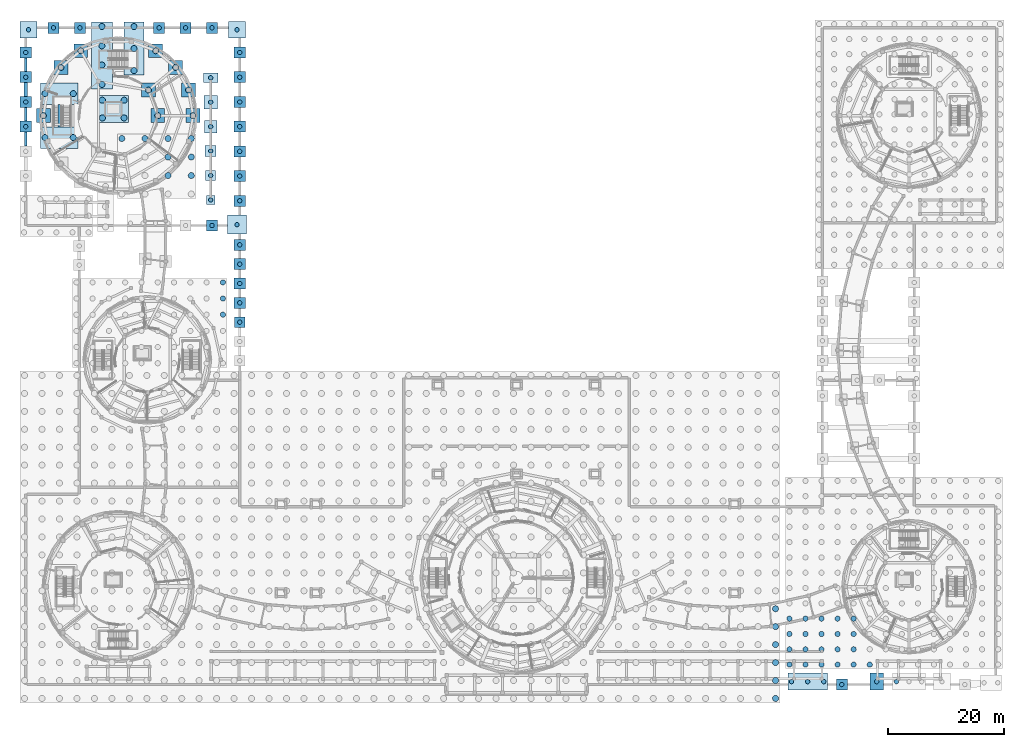
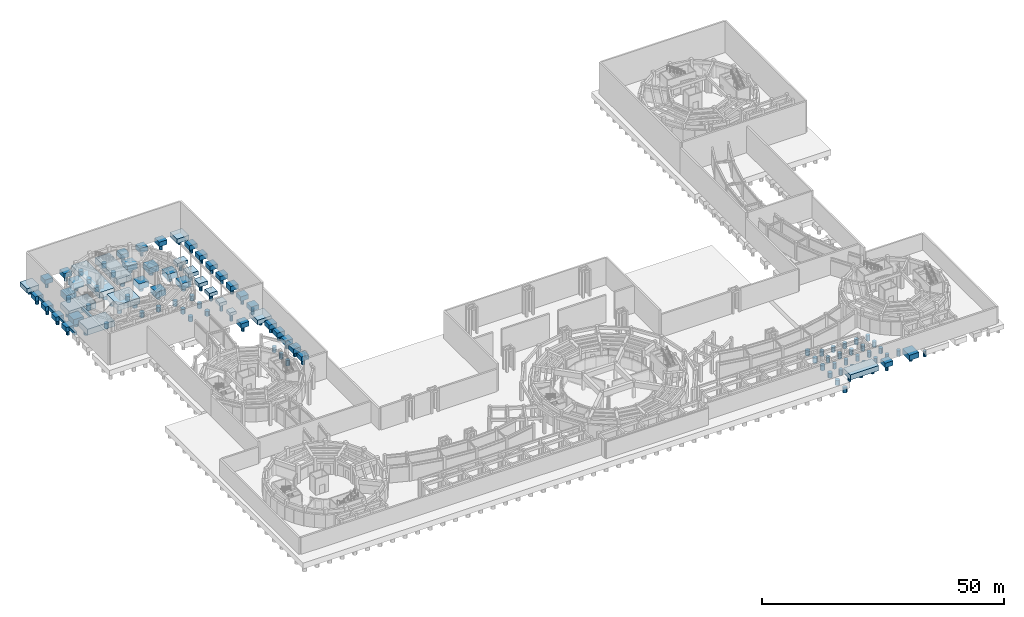
# One storey, part 5 of 57: 99 piles, 53 footings.
"""IFC4 building model written with IfcOpenShell, lengths in metres."""

from ifc_helpers import new_model, si_unit, direction, frame, origin, origin_2d, place, context, subcontext, project, spatial, rectangle, circle, extrude, material, material_profile, profile_set, type_object, element, save


model = new_model("IFC4")

# Units and contexts
model_context = context("Model", 3, precision=1e-05, world=origin(), true_north=direction((0.0, 1.0)))
body_context = subcontext(model_context, "Body", "Model", "MODEL_VIEW")
ifc_project = project(units=[si_unit("LENGTHUNIT", "METRE"), si_unit("AREAUNIT", "SQUARE_METRE"), si_unit("VOLUMEUNIT", "CUBIC_METRE"), si_unit("PLANEANGLEUNIT", "RADIAN"), si_unit("MASSUNIT", "GRAM", prefix="KILO")], contexts=[model_context])

# Site, building, storey
site_placement = place(None, origin())
site = spatial("IfcSite", under=ifc_project, at=site_placement, CompositionType="ELEMENT")
building_placement = place(site_placement, origin())
building = spatial("IfcBuilding", under=site, at=building_placement, Name="Aldenvaro Health Centre", CompositionType="ELEMENT")
storey_placement = place(building_placement, frame((0.0, 0.0, -4.550048828125)))
storey = spatial("IfcBuildingStorey", under=building, at=storey_placement, Name="B1", CompositionType="ELEMENT", Elevation=-4.550048828125)

# Footings
ifc_material = material(Name="Concrete f'c 40 MPa", Category="concrete")
ifc_material_profile_1 = material_profile(ifc_material, rectangle(XDim=0.449951171875, YDim=0.699951171875, at=origin_2d()), Name="GB 450x700", Category="concrete")
ifc_profile_set_1 = profile_set([ifc_material_profile_1], Name="Concrete f'c 40 MPa")
footing_type_1 = type_object("IfcFootingType", Name="FTG-GB-450x700", PredefinedType="FOOTING_BEAM", material=ifc_profile_set_1)
footing_1_placement = place(storey_placement, frame((2.60009765625, 98.550048828125, -0.39990234375), z_axis=(0.0, 1.0, 0.0), x_axis=(-1.0, 0.0, 0.0)))
element("IfcFooting", 1, at=footing_1_placement, inside=storey, type_object=footing_type_1, Name="Foundation Tie Beam GB-03", PredefinedType="FOOTING_BEAM", context=body_context, shape_type="SweptSolid", body=[
    extrude(rectangle(XDim=0.449951171875, YDim=0.699951171875, at=origin_2d()), origin(), (0.0, 0.0, 1.0), 2.349853515625),
])
footing_2_placement = place(storey_placement, frame((8.347900390625, 97.572021484375, -0.39990234375), z_axis=(0.0, 1.0, 0.0), x_axis=(-1.0, 0.0, 0.0)))
element("IfcFooting", 2, at=footing_2_placement, inside=storey, type_object=footing_type_1, Name="Foundation Tie Beam GB-06", PredefinedType="FOOTING_BEAM", context=body_context, shape_type="SweptSolid", body=[
    extrude(rectangle(XDim=0.449951171875, YDim=0.699951171875, at=origin_2d()), origin(), (0.0, 0.0, 1.0), 3.85595703125),
])
ifc_material_profile_2 = material_profile(ifc_material, rectangle(XDim=0.5, YDim=0.75, at=origin_2d()), Name="GB 500x750", Category="concrete")
ifc_profile_set_2 = profile_set([ifc_material_profile_2], Name="Concrete f'c 40 MPa")
footing_type_2 = type_object("IfcFootingType", Name="FTG-GB-500x750", PredefinedType="FOOTING_BEAM", material=ifc_profile_set_2)
for number, where, z_axis, x_axis, name in (
    (3, (2.60009765625, 94.300048828125, -0.425048828125), (0.0, 1.0, 0.0), (-1.0, 0.0, 0.0), "Foundation Tie Beam GB-02"),
    (4, (2.60009765625, 107.050048828125, -0.425048828125), (0.0, 1.0, 0.0), (-1.0, 0.0, 0.0), "Foundation Tie Beam GB-05"),
):
    element("IfcFooting", number, at=place(storey_placement, frame(where, z_axis=z_axis, x_axis=x_axis)), inside=storey, type_object=footing_type_2, Name=name, PredefinedType="FOOTING_BEAM", context=body_context, shape_type="SweptSolid", body=[
        extrude(rectangle(XDim=0.5, YDim=0.75, at=origin_2d()), origin(), (0.0, 0.0, 1.0), 2.349853515625),
    ])
ifc_material_profile_3 = material_profile(ifc_material, rectangle(XDim=0.60009765625, YDim=0.800048828125, at=origin_2d()), Name="GB 600x800", Category="concrete")
ifc_profile_set_3 = profile_set([ifc_material_profile_3], Name="Concrete f'c 40 MPa")
footing_type_3 = type_object("IfcFootingType", Name="FTG-GB-600x800", PredefinedType="FOOTING_BEAM", material=ifc_profile_set_3)
footing_3_placement = place(storey_placement, frame((2.60009765625, 102.800048828125, -0.449951171875), z_axis=(0.0, 1.0, 0.0), x_axis=(-1.0, 0.0, 0.0)))
element("IfcFooting", 5, at=footing_3_placement, inside=storey, type_object=footing_type_3, Name="Foundation Tie Beam GB-04", PredefinedType="FOOTING_BEAM", context=body_context, shape_type="SweptSolid", body=[
    extrude(rectangle(XDim=0.60009765625, YDim=0.800048828125, at=origin_2d()), origin(), (0.0, 0.0, 1.0), 2.349853515625),
])
footing_type_4 = type_object("IfcFootingType", Name="FTG-PAD-150", PredefinedType="PAD_FOOTING", material=ifc_material)
footing_4_placement = place(storey_placement, frame((34.39990234375, 85.0, -0.75), z_axis=(0.0, 0.0, 1.0), x_axis=(1.0, 0.0, 0.0)))
element("IfcFooting", 6, at=footing_4_placement, inside=storey, type_object=footing_type_4, Name="Garden Parterre Pad Footing PF-01", PredefinedType="PAD_FOOTING", context=body_context, shape_type="SweptSolid", body=[
    extrude(rectangle(XDim=1.5, YDim=1.5, at=origin_2d()), origin(), (0.0, 0.0, 1.0), 0.75),
])
footing_type_5 = type_object("IfcFootingType", Name="FTG-PAD-170", PredefinedType="PAD_FOOTING", material=ifc_material)
footing_5_placement = place(storey_placement, frame((34.39990234375, 89.199951171875, -0.7998046875), z_axis=(0.0, 0.0, 1.0), x_axis=(1.0, 0.0, 0.0)))
element("IfcFooting", 7, at=footing_5_placement, inside=storey, type_object=footing_type_5, Name="Garden Parterre Pad Footing PF-02", PredefinedType="PAD_FOOTING", context=body_context, shape_type="SweptSolid", body=[
    extrude(rectangle(XDim=1.699951171875, YDim=1.699951171875, at=origin_2d()), origin(), (0.0, 0.0, 1.0), 0.800048828125),
])
footing_type_6 = type_object("IfcFootingType", Name="FTG-PAD-190", PredefinedType="PAD_FOOTING", material=ifc_material)
footing_6_placement = place(storey_placement, frame((34.39990234375, 93.39990234375, -0.85009765625), z_axis=(0.0, 0.0, 1.0), x_axis=(1.0, 0.0, 0.0)))
element("IfcFooting", 8, at=footing_6_placement, inside=storey, type_object=footing_type_6, Name="Garden Parterre Pad Footing PF-03", PredefinedType="PAD_FOOTING", context=body_context, shape_type="SweptSolid", body=[
    extrude(rectangle(XDim=1.89990234375, YDim=1.89990234375, at=origin_2d()), origin(), (0.0, 0.0, 1.0), 0.85009765625),
])
footing_type_7 = type_object("IfcFootingType", Name="FTG-PAD-210", PredefinedType="PAD_FOOTING", material=ifc_material)
footing_7_placement = place(storey_placement, frame((34.39990234375, 97.60009765625, -0.89990234375), z_axis=(0.0, 0.0, 1.0), x_axis=(1.0, 0.0, 0.0)))
element("IfcFooting", 9, at=footing_7_placement, inside=storey, type_object=footing_type_7, Name="Garden Parterre Pad Footing PF-04", PredefinedType="PAD_FOOTING", context=body_context, shape_type="SweptSolid", body=[
    extrude(rectangle(XDim=2.10009765625, YDim=2.10009765625, at=origin_2d()), origin(), (0.0, 0.0, 1.0), 0.89990234375),
])
footing_type_8 = type_object("IfcFootingType", Name="FTG-PAD-230", PredefinedType="PAD_FOOTING", material=ifc_material)
footing_8_placement = place(storey_placement, frame((34.39990234375, 101.800048828125, -0.94970703125), z_axis=(0.0, 0.0, 1.0), x_axis=(1.0, 0.0, 0.0)))
element("IfcFooting", 10, at=footing_8_placement, inside=storey, type_object=footing_type_8, Name="Garden Parterre Pad Footing PF-05", PredefinedType="PAD_FOOTING", context=body_context, shape_type="SweptSolid", body=[
    extrude(rectangle(XDim=2.300048828125, YDim=2.300048828125, at=origin_2d()), origin(), (0.0, 0.0, 1.0), 0.949951171875),
])
footing_type_9 = type_object("IfcFootingType", Name="FTG-PAD-250x170", PredefinedType="PAD_FOOTING", material=ifc_material)
footing_9_placement = place(storey_placement, frame((34.39990234375, 106.0, -0.85009765625), z_axis=(0.0, 0.0, 1.0), x_axis=(1.0, 0.0, 0.0)))
element("IfcFooting", 11, at=footing_9_placement, inside=storey, type_object=footing_type_9, Name="Garden Parterre Pad Footing PF-06", PredefinedType="PAD_FOOTING", context=body_context, shape_type="SweptSolid", body=[
    extrude(rectangle(XDim=2.5, YDim=1.699951171875, at=origin_2d()), origin(), (0.0, 0.0, 1.0), 0.85009765625),
])
footing_type_10 = type_object("IfcFootingType", Name="FTG-PC-180x180x115", PredefinedType="PILE_CAP", material=ifc_material)
footing_10_placement = place(storey_placement, frame((39.39990234375, 63.97509765625, -1.14990234375), z_axis=(0.0, 0.0, 1.0), x_axis=(1.0, 0.0, 0.0)))
element("IfcFooting", 12, at=footing_10_placement, inside=storey, type_object=footing_type_10, Name="Pile Cap PC-24 #075", PredefinedType="PILE_CAP", context=body_context, shape_type="SweptSolid", body=[
    extrude(rectangle(XDim=1.800048828125, YDim=1.800048828125, at=origin_2d()), origin(), (0.0, 0.0, 1.0), 1.14990234375),
])
footing_type_11 = type_object("IfcFootingType", Name="FTG-PC-190x190x115", PredefinedType="PILE_CAP", material=ifc_material)
for number, where, z_axis, x_axis, name in (
    (13, (2.60009765625, 97.60009765625, -1.14990234375), (0.0, 0.0, 1.0), (1.0, 0.0, 0.0), "Pile Cap PC-20 #049"),
    (14, (2.60009765625, 101.85009765625, -1.14990234375), (0.0, 0.0, 1.0), (1.0, 0.0, 0.0), "Pile Cap PC-20 #050"),
    (15, (2.60009765625, 106.10009765625, -1.14990234375), (0.0, 0.0, 1.0), (1.0, 0.0, 0.0), "Pile Cap PC-20 #051"),
    (16, (2.60009765625, 110.35009765625, -1.14990234375), (0.0, 0.0, 1.0), (1.0, 0.0, 0.0), "Pile Cap PC-20 #052"),
    (17, (39.39990234375, 84.85009765625, -1.14990234375), (0.0, 0.0, 1.0), (1.0, 0.0, 0.0), "Pile Cap PC-20 #055"),
    (18, (39.39990234375, 89.10009765625, -1.14990234375), (0.0, 0.0, 1.0), (1.0, 0.0, 0.0), "Pile Cap PC-20 #056"),
    (19, (39.39990234375, 93.35009765625, -1.14990234375), (0.0, 0.0, 1.0), (1.0, 0.0, 0.0), "Pile Cap PC-20 #057"),
    (20, (39.39990234375, 97.60009765625, -1.14990234375), (0.0, 0.0, 1.0), (1.0, 0.0, 0.0), "Pile Cap PC-20 #058"),
    (21, (39.39990234375, 101.85009765625, -1.14990234375), (0.0, 0.0, 1.0), (1.0, 0.0, 0.0), "Pile Cap PC-20 #059"),
    (22, (39.39990234375, 106.10009765625, -1.14990234375), (0.0, 0.0, 1.0), (1.0, 0.0, 0.0), "Pile Cap PC-20 #060"),
    (23, (39.39990234375, 110.35009765625, -1.14990234375), (0.0, 0.0, 1.0), (1.0, 0.0, 0.0), "Pile Cap PC-20 #061"),
    (24, (34.632080078125, 80.60009765625, -1.14990234375), (0.0, 0.0, 1.0), (1.0, 0.0, 0.0), "Pile Cap PC-20 #064"),
    (25, (39.39990234375, 67.300048828125, -1.14990234375), (0.0, 0.0, 1.0), (1.0, 0.0, 0.0), "Pile Cap PC-20 #076"),
    (26, (39.39990234375, 70.625, -1.14990234375), (0.0, 0.0, 1.0), (1.0, 0.0, 0.0), "Pile Cap PC-20 #077"),
    (27, (39.39990234375, 73.949951171875, -1.14990234375), (0.0, 0.0, 1.0), (1.0, 0.0, 0.0), "Pile Cap PC-20 #078"),
    (28, (39.39990234375, 77.27490234375, -1.14990234375), (0.0, 0.0, 1.0), (1.0, 0.0, 0.0), "Pile Cap PC-20 #079"),
    (29, (142.93505859375, 1.64990234375, -1.14990234375), (0.0, 0.0, 1.0), (1.0, 0.0, 0.0), "Pile Cap PC-20 #086"),
    (30, (7.367919921875, 114.60009765625, -1.14990234375), (0.0, 0.0, 1.0), (1.0, 0.0, 0.0), "Pile Cap PC-20 #090"),
    (31, (11.912109375, 114.60009765625, -1.14990234375), (0.0, 0.0, 1.0), (1.0, 0.0, 0.0), "Pile Cap PC-20 #091"),
    (32, (25.5439453125, 114.60009765625, -1.14990234375), (0.0, 0.0, 1.0), (1.0, 0.0, 0.0), "Pile Cap PC-20 #092"),
    (33, (30.087890625, 114.60009765625, -1.14990234375), (0.0, 0.0, 1.0), (1.0, 0.0, 0.0), "Pile Cap PC-20 #093"),
    (34, (34.632080078125, 114.60009765625, -1.14990234375), (0.0, 0.0, 1.0), (1.0, 0.0, 0.0), "Pile Cap PC-20 #094"),
):
    element("IfcFooting", number, at=place(storey_placement, frame(where, z_axis=z_axis, x_axis=x_axis)), inside=storey, type_object=footing_type_11, Name=name, PredefinedType="PILE_CAP", context=body_context, shape_type="SweptSolid", body=[
        extrude(rectangle(XDim=1.89990234375, YDim=1.89990234375, at=origin_2d()), origin(), (0.0, 0.0, 1.0), 1.14990234375),
    ])
footing_type_12 = type_object("IfcFootingType", Name="FTG-PC-230x290x130", PredefinedType="PILE_CAP", material=ifc_material)
footing_11_placement = place(storey_placement, frame((148.93310546875, 2.14990234375, -1.2998046875), z_axis=(0.0, 0.0, 1.0), x_axis=(1.0, 0.0, 0.0)))
element("IfcFooting", 35, at=footing_11_placement, inside=storey, type_object=footing_type_12, Name="Pile Cap PC-15 #036", PredefinedType="PILE_CAP", context=body_context, shape_type="SweptSolid", body=[
    extrude(rectangle(XDim=2.300048828125, YDim=2.89990234375, at=origin_2d()), origin(), (0.0, 0.0, 1.0), 1.300048828125),
])
footing_type_13 = type_object("IfcFootingType", Name="FTG-PC-240x240x145", PredefinedType="PILE_CAP", material=ifc_material)
for number, where, z_axis, x_axis, name in (
    (36, (31.3798828125, 99.5, -1.44970703125), (0.0, 0.0, 1.0), (1.0, 0.0, 0.0), "Pile Cap PC-09 #010"),
    (37, (30.60302734375, 103.905029296875, -1.44970703125), (0.0, 0.0, 1.0), (1.0, 0.0, 0.0), "Pile Cap PC-09 #011"),
    (38, (28.366943359375, 107.779052734375, -1.44970703125), (0.0, 0.0, 1.0), (1.0, 0.0, 0.0), "Pile Cap PC-09 #012"),
    (39, (24.93994140625, 110.654052734375, -1.44970703125), (0.0, 0.0, 1.0), (1.0, 0.0, 0.0), "Pile Cap PC-09 #013"),
    (40, (12.06005859375, 110.654052734375, -1.44970703125), (0.0, 0.0, 1.0), (1.0, 0.0, 0.0), "Pile Cap PC-09 #014"),
    (41, (8.633056640625, 107.779052734375, -1.44970703125), (0.0, 0.0, 1.0), (1.0, 0.0, 0.0), "Pile Cap PC-09 #015"),
    (42, (5.6201171875, 99.5, -1.44970703125), (0.0, 0.0, 1.0), (1.0, 0.0, 0.0), "Pile Cap PC-09 #016"),
    (43, (25.300048828125, 99.5, -1.44970703125), (0.0, 0.0, 1.0), (1.0, 0.0, 0.0), "Pile Cap PC-09 #021"),
    (44, (23.708984375, 103.87109375, -1.44970703125), (0.0, 0.0, 1.0), (1.0, 0.0, 0.0), "Pile Cap PC-09 #022"),
):
    element("IfcFooting", number, at=place(storey_placement, frame(where, z_axis=z_axis, x_axis=x_axis)), inside=storey, type_object=footing_type_13, Name=name, PredefinedType="PILE_CAP", context=body_context, shape_type="SweptSolid", body=[
        extrude(rectangle(XDim=2.39990234375, YDim=2.39990234375, at=origin_2d()), origin(), (0.0, 0.0, 1.0), 1.449951171875),
    ])
footing_type_14 = type_object("IfcFootingType", Name="FTG-PC-290x290x115", PredefinedType="PILE_CAP", material=ifc_material)
for number, where, z_axis, x_axis, name in (
    (45, (3.075927734375, 114.260009765625, -1.14990234375), (0.0, 0.0, 1.0), (1.0, 0.0, 0.0), "Pile Cap PC-21 #053"),
    (46, (38.924072265625, 114.260009765625, -1.14990234375), (0.0, 0.0, 1.0), (1.0, 0.0, 0.0), "Pile Cap PC-21 #062"),
):
    element("IfcFooting", number, at=place(storey_placement, frame(where, z_axis=z_axis, x_axis=x_axis)), inside=storey, type_object=footing_type_14, Name=name, PredefinedType="PILE_CAP", context=body_context, shape_type="SweptSolid", body=[
        extrude(rectangle(XDim=2.89990234375, YDim=2.89990234375, at=origin_2d()), origin(), (0.0, 0.0, 1.0), 1.14990234375),
    ])
footing_type_15 = type_object("IfcFootingType", Name="FTG-PC-330x330x115", PredefinedType="PILE_CAP", material=ifc_material)
footing_12_placement = place(storey_placement, frame((38.924072265625, 80.75390625, -1.14990234375), z_axis=(0.0, 0.0, 1.0), x_axis=(1.0, 0.0, 0.0)))
element("IfcFooting", 47, at=footing_12_placement, inside=storey, type_object=footing_type_15, Name="Pile Cap PC-22 #054", PredefinedType="PILE_CAP", context=body_context, shape_type="SweptSolid", body=[
    extrude(rectangle(XDim=3.300048828125, YDim=3.300048828125, at=origin_2d()), origin(), (0.0, 0.0, 1.0), 1.14990234375),
])
footing_type_16 = type_object("IfcFootingType", Name="FTG-PC-340x910x145", PredefinedType="PILE_CAP", material=ifc_material)
footing_13_placement = place(storey_placement, frame((21.218017578125, 111.02099609375, -1.44970703125), z_axis=(0.0, 0.0, 1.0), x_axis=(1.0, 0.0, 0.0)))
element("IfcFooting", 48, at=footing_13_placement, inside=storey, type_object=footing_type_16, Name="Pile Cap PC-05 #005", PredefinedType="PILE_CAP", context=body_context, shape_type="SweptSolid", body=[
    extrude(rectangle(XDim=3.39990234375, YDim=9.10009765625, at=origin_2d()), origin(), (0.0, 0.0, 1.0), 1.449951171875),
])
footing_type_17 = type_object("IfcFootingType", Name="FTG-PC-360x1150x145", PredefinedType="PILE_CAP", material=ifc_material)
footing_14_placement = place(storey_placement, frame((15.69091796875, 109.844970703125, -1.44970703125), z_axis=(0.0, 0.0, 1.0), x_axis=(1.0, 0.0, 0.0)))
element("IfcFooting", 49, at=footing_14_placement, inside=storey, type_object=footing_type_17, Name="Pile Cap PC-04 #004", PredefinedType="PILE_CAP", context=body_context, shape_type="SweptSolid", body=[
    extrude(rectangle(XDim=3.60009765625, YDim=11.5, at=origin_2d()), origin(), (0.0, 0.0, 1.0), 1.449951171875),
])
footing_type_18 = type_object("IfcFootingType", Name="FTG-PC-530x460x145", PredefinedType="PILE_CAP", material=ifc_material)
footing_15_placement = place(storey_placement, frame((17.64990234375, 100.625, -1.44970703125), z_axis=(0.0, 0.0, 1.0), x_axis=(1.0, 0.0, 0.0)))
element("IfcFooting", 50, at=footing_15_placement, inside=storey, type_object=footing_type_18, Name="Pile Cap PC-08 #009", PredefinedType="PILE_CAP", context=body_context, shape_type="SweptSolid", body=[
    extrude(rectangle(XDim=5.300048828125, YDim=4.60009765625, at=origin_2d()), origin(), (0.0, 0.0, 1.0), 1.449951171875),
])
footing_type_19 = type_object("IfcFootingType", Name="FTG-PC-640x370x145", PredefinedType="PILE_CAP", material=ifc_material)
for number, where, z_axis, x_axis, name in (
    (51, (8.347900390625, 95.721923828125, -1.44970703125), (0.0, 0.0, 1.0), (1.0, 0.0, 0.0), "Pile Cap PC-06 #006"),
    (52, (8.347900390625, 103.278076171875, -1.44970703125), (0.0, 0.0, 1.0), (1.0, 0.0, 0.0), "Pile Cap PC-06 #007"),
):
    element("IfcFooting", number, at=place(storey_placement, frame(where, z_axis=z_axis, x_axis=x_axis)), inside=storey, type_object=footing_type_19, Name=name, PredefinedType="PILE_CAP", context=body_context, shape_type="SweptSolid", body=[
        extrude(rectangle(XDim=6.39990234375, YDim=3.699951171875, at=origin_2d()), origin(), (0.0, 0.0, 1.0), 1.449951171875),
    ])
footing_type_20 = type_object("IfcFootingType", Name="FTG-PC-680x290x130", PredefinedType="PILE_CAP", material=ifc_material)
footing_16_placement = place(storey_placement, frame((137.075927734375, 2.14990234375, -1.2998046875), z_axis=(0.0, 0.0, 1.0), x_axis=(1.0, 0.0, 0.0)))
element("IfcFooting", 53, at=footing_16_placement, inside=storey, type_object=footing_type_20, Name="Pile Cap PC-14 #035", PredefinedType="PILE_CAP", context=body_context, shape_type="SweptSolid", body=[
    extrude(rectangle(XDim=6.800048828125, YDim=2.89990234375, at=origin_2d()), origin(), (0.0, 0.0, 1.0), 1.300048828125),
])

# Piles
ifc_material_profile_4 = material_profile(ifc_material, circle(Radius=0.52490234375, at=origin_2d()), Name="PILE D1050", Category="concrete")
ifc_profile_set_4 = profile_set([ifc_material_profile_4], Name="Concrete f'c 40 MPa")
pile_type_1 = type_object("IfcPileType", Name="PILE-D1050", PredefinedType="BORED", material=ifc_profile_set_4)
for number, where, z_axis, x_axis, name in (
    (54, (131.54296875, -0.737060546875, -1.349853515625), (0.0, 0.0, -1.0), (1.0, 0.0, 0.0), "Bored Pile BP-03 #0818"),
    (55, (131.54296875, 2.34912109375, -1.349853515625), (0.0, 0.0, -1.0), (1.0, 0.0, 0.0), "Bored Pile BP-03 #0819"),
    (56, (131.54296875, 5.43505859375, -1.349853515625), (0.0, 0.0, -1.0), (1.0, 0.0, 0.0), "Bored Pile BP-03 #0820"),
    (57, (131.54296875, 8.52099609375, -1.349853515625), (0.0, 0.0, -1.0), (1.0, 0.0, 0.0), "Bored Pile BP-03 #0821"),
    (58, (131.54296875, 11.60693359375, -1.349853515625), (0.0, 0.0, -1.0), (1.0, 0.0, 0.0), "Bored Pile BP-03 #0822"),
    (59, (131.54296875, 14.694091796875, -1.349853515625), (0.0, 0.0, -1.0), (1.0, 0.0, 0.0), "Bored Pile BP-03 #0823"),
    (60, (15.69091796875, 104.8701171875, -1.349853515625), (0.0, 0.0, -1.0), (1.0, 0.0, 0.0), "Bored Pile BP-03 #1118"),
    (61, (15.69091796875, 108.18701171875, -1.349853515625), (0.0, 0.0, -1.0), (1.0, 0.0, 0.0), "Bored Pile BP-03 #1119"),
    (62, (15.69091796875, 111.5029296875, -1.349853515625), (0.0, 0.0, -1.0), (1.0, 0.0, 0.0), "Bored Pile BP-03 #1120"),
    (63, (15.69091796875, 114.820068359375, -1.349853515625), (0.0, 0.0, -1.0), (1.0, 0.0, 0.0), "Bored Pile BP-03 #1121"),
    (64, (21.218017578125, 107.24609375, -1.349853515625), (0.0, 0.0, -1.0), (1.0, 0.0, 0.0), "Bored Pile BP-03 #1122"),
    (65, (21.218017578125, 111.02099609375, -1.349853515625), (0.0, 0.0, -1.0), (1.0, 0.0, 0.0), "Bored Pile BP-03 #1123"),
    (66, (21.218017578125, 114.7958984375, -1.349853515625), (0.0, 0.0, -1.0), (1.0, 0.0, 0.0), "Bored Pile BP-03 #1124"),
    (67, (5.923095703125, 95.721923828125, -1.349853515625), (0.0, 0.0, -1.0), (1.0, 0.0, 0.0), "Bored Pile BP-03 #1125"),
    (68, (10.77294921875, 95.721923828125, -1.349853515625), (0.0, 0.0, -1.0), (1.0, 0.0, 0.0), "Bored Pile BP-03 #1126"),
    (69, (5.923095703125, 103.278076171875, -1.349853515625), (0.0, 0.0, -1.0), (1.0, 0.0, 0.0), "Bored Pile BP-03 #1127"),
    (70, (10.77294921875, 103.278076171875, -1.349853515625), (0.0, 0.0, -1.0), (1.0, 0.0, 0.0), "Bored Pile BP-03 #1128"),
    (71, (15.77490234375, 99.10009765625, -1.349853515625), (0.0, 0.0, -1.0), (1.0, 0.0, 0.0), "Bored Pile BP-03 #1311"),
    (72, (15.77490234375, 102.14990234375, -1.349853515625), (0.0, 0.0, -1.0), (1.0, 0.0, 0.0), "Bored Pile BP-03 #1312"),
    (73, (19.52490234375, 99.10009765625, -1.349853515625), (0.0, 0.0, -1.0), (1.0, 0.0, 0.0), "Bored Pile BP-03 #1313"),
    (74, (19.52490234375, 102.14990234375, -1.349853515625), (0.0, 0.0, -1.0), (1.0, 0.0, 0.0), "Bored Pile BP-03 #1314"),
    (75, (31.3798828125, 99.5, -1.349853515625), (0.0, 0.0, -1.0), (1.0, 0.0, 0.0), "Bored Pile BP-03 #1315"),
    (76, (30.60302734375, 103.905029296875, -1.349853515625), (0.0, 0.0, -1.0), (1.0, 0.0, 0.0), "Bored Pile BP-03 #1316"),
    (77, (28.366943359375, 107.779052734375, -1.349853515625), (0.0, 0.0, -1.0), (1.0, 0.0, 0.0), "Bored Pile BP-03 #1317"),
    (78, (24.93994140625, 110.654052734375, -1.349853515625), (0.0, 0.0, -1.0), (1.0, 0.0, 0.0), "Bored Pile BP-03 #1318"),
    (79, (12.06005859375, 110.654052734375, -1.349853515625), (0.0, 0.0, -1.0), (1.0, 0.0, 0.0), "Bored Pile BP-03 #1319"),
    (80, (8.633056640625, 107.779052734375, -1.349853515625), (0.0, 0.0, -1.0), (1.0, 0.0, 0.0), "Bored Pile BP-03 #1320"),
    (81, (5.6201171875, 99.5, -1.349853515625), (0.0, 0.0, -1.0), (1.0, 0.0, 0.0), "Bored Pile BP-03 #1321"),
    (82, (19.117919921875, 95.555908203125, -1.349853515625), (0.0, 0.0, -1.0), (1.0, 0.0, 0.0), "Bored Pile BP-03 #1330"),
    (83, (23.10107421875, 95.555908203125, -1.349853515625), (0.0, 0.0, -1.0), (1.0, 0.0, 0.0), "Bored Pile BP-03 #1334"),
    (84, (27.0849609375, 89.18896484375, -1.349853515625), (0.0, 0.0, -1.0), (1.0, 0.0, 0.0), "Bored Pile BP-03 #1336"),
    (85, (27.0849609375, 92.373046875, -1.349853515625), (0.0, 0.0, -1.0), (1.0, 0.0, 0.0), "Bored Pile BP-03 #1337"),
    (86, (27.0849609375, 95.555908203125, -1.349853515625), (0.0, 0.0, -1.0), (1.0, 0.0, 0.0), "Bored Pile BP-03 #1338"),
    (87, (31.068115234375, 89.18896484375, -1.349853515625), (0.0, 0.0, -1.0), (1.0, 0.0, 0.0), "Bored Pile BP-03 #1340"),
    (88, (31.068115234375, 92.373046875, -1.349853515625), (0.0, 0.0, -1.0), (1.0, 0.0, 0.0), "Bored Pile BP-03 #1341"),
    (89, (31.068115234375, 95.555908203125, -1.349853515625), (0.0, 0.0, -1.0), (1.0, 0.0, 0.0), "Bored Pile BP-03 #1342"),
    (90, (25.300048828125, 99.5, -1.349853515625), (0.0, 0.0, -1.0), (1.0, 0.0, 0.0), "Bored Pile BP-03 #1343"),
    (91, (23.708984375, 103.87109375, -1.349853515625), (0.0, 0.0, -1.0), (1.0, 0.0, 0.0), "Bored Pile BP-03 #1344"),
):
    element("IfcPile", number, at=place(storey_placement, frame(where, z_axis=z_axis, x_axis=x_axis)), inside=storey, type_object=pile_type_1, Name=name, PredefinedType="BORED", context=body_context, shape_type="SweptSolid", body=[
        extrude(circle(Radius=0.52490234375, at=origin_2d()), origin(), (0.0, 0.0, 1.0), 1.25),
    ])
ifc_material_profile_5 = material_profile(ifc_material, circle(Radius=0.375, at=origin_2d()), Name="PILE D750", Category="concrete")
ifc_profile_set_5 = profile_set([ifc_material_profile_5], Name="Concrete f'c 40 MPa")
pile_type_2 = type_object("IfcPileType", Name="PILE-D750", PredefinedType="BORED", material=ifc_profile_set_5)
pile_1_placement = place(storey_placement, frame((34.39990234375, 85.0, -0.64990234375), z_axis=(0.0, 0.0, -1.0), x_axis=(1.0, 0.0, 0.0)))
element("IfcPile", 92, at=pile_1_placement, inside=storey, type_object=pile_type_2, Name="Garden Parterre Bored Pile #01", PredefinedType="BORED", context=body_context, shape_type="SweptSolid", body=[
    extrude(circle(Radius=0.375, at=origin_2d()), origin(), (0.0, 0.0, 1.0), 1.949951171875),
])
pile_2_placement = place(storey_placement, frame((34.39990234375, 89.199951171875, -0.699951171875), z_axis=(0.0, 0.0, -1.0), x_axis=(1.0, 0.0, 0.0)))
element("IfcPile", 93, at=pile_2_placement, inside=storey, type_object=pile_type_2, Name="Garden Parterre Bored Pile #02", PredefinedType="BORED", context=body_context, shape_type="SweptSolid", body=[
    extrude(circle(Radius=0.375, at=origin_2d()), origin(), (0.0, 0.0, 1.0), 1.89990234375),
])
pile_3_placement = place(storey_placement, frame((34.39990234375, 93.39990234375, -0.75), z_axis=(0.0, 0.0, -1.0), x_axis=(1.0, 0.0, 0.0)))
element("IfcPile", 94, at=pile_3_placement, inside=storey, type_object=pile_type_2, Name="Garden Parterre Bored Pile #03", PredefinedType="BORED", context=body_context, shape_type="SweptSolid", body=[
    extrude(circle(Radius=0.375, at=origin_2d()), origin(), (0.0, 0.0, 1.0), 1.85009765625),
])
pile_4_placement = place(storey_placement, frame((34.39990234375, 97.60009765625, -0.800048828125), z_axis=(0.0, 0.0, -1.0), x_axis=(1.0, 0.0, 0.0)))
element("IfcPile", 95, at=pile_4_placement, inside=storey, type_object=pile_type_2, Name="Garden Parterre Bored Pile #04", PredefinedType="BORED", context=body_context, shape_type="SweptSolid", body=[
    extrude(circle(Radius=0.375, at=origin_2d()), origin(), (0.0, 0.0, 1.0), 1.800048828125),
])
pile_5_placement = place(storey_placement, frame((34.39990234375, 101.800048828125, -0.849853515625), z_axis=(0.0, 0.0, -1.0), x_axis=(1.0, 0.0, 0.0)))
element("IfcPile", 96, at=pile_5_placement, inside=storey, type_object=pile_type_2, Name="Garden Parterre Bored Pile #05", PredefinedType="BORED", context=body_context, shape_type="SweptSolid", body=[
    extrude(circle(Radius=0.375, at=origin_2d()), origin(), (0.0, 0.0, 1.0), 1.75),
])
pile_6_placement = place(storey_placement, frame((34.39990234375, 106.0, -0.75), z_axis=(0.0, 0.0, -1.0), x_axis=(1.0, 0.0, 0.0)))
element("IfcPile", 97, at=pile_6_placement, inside=storey, type_object=pile_type_2, Name="Garden Parterre Bored Pile #06", PredefinedType="BORED", context=body_context, shape_type="SweptSolid", body=[
    extrude(circle(Radius=0.375, at=origin_2d()), origin(), (0.0, 0.0, 1.0), 1.85009765625),
])
for number, where, z_axis, x_axis, name in (
    (98, (134.301025390625, 2.14990234375, -1.199951171875), (0.0, 0.0, -1.0), (1.0, 0.0, 0.0), "Bored Pile BP-01 #1360"),
    (99, (137.075927734375, 2.14990234375, -1.199951171875), (0.0, 0.0, -1.0), (1.0, 0.0, 0.0), "Bored Pile BP-01 #1361"),
    (100, (139.85107421875, 2.14990234375, -1.199951171875), (0.0, 0.0, -1.0), (1.0, 0.0, 0.0), "Bored Pile BP-01 #1362"),
    (101, (148.93310546875, 2.14990234375, -1.199951171875), (0.0, 0.0, -1.0), (1.0, 0.0, 0.0), "Bored Pile BP-01 #1363"),
    (102, (152.324951171875, 2.14990234375, -1.199951171875), (0.0, 0.0, -1.0), (1.0, 0.0, 0.0), "Bored Pile BP-01 #1364"),
):
    element("IfcPile", number, at=place(storey_placement, frame(where, z_axis=z_axis, x_axis=x_axis)), inside=storey, type_object=pile_type_2, Name=name, PredefinedType="BORED", context=body_context, shape_type="SweptSolid", body=[
        extrude(circle(Radius=0.375, at=origin_2d()), origin(), (0.0, 0.0, 1.0), 1.39990234375),
    ])
for number, where, z_axis, x_axis, name in (
    (103, (2.60009765625, 97.60009765625, -1.050048828125), (0.0, 0.0, -1.0), (1.0, 0.0, 0.0), "Bored Pile BP-01 #1393"),
    (104, (2.60009765625, 101.85009765625, -1.050048828125), (0.0, 0.0, -1.0), (1.0, 0.0, 0.0), "Bored Pile BP-01 #1394"),
    (105, (2.60009765625, 106.10009765625, -1.050048828125), (0.0, 0.0, -1.0), (1.0, 0.0, 0.0), "Bored Pile BP-01 #1395"),
    (106, (2.60009765625, 110.35009765625, -1.050048828125), (0.0, 0.0, -1.0), (1.0, 0.0, 0.0), "Bored Pile BP-01 #1396"),
    (107, (3.075927734375, 114.260009765625, -1.050048828125), (0.0, 0.0, -1.0), (1.0, 0.0, 0.0), "Bored Pile BP-01 #1397"),
    (108, (38.924072265625, 80.75390625, -1.050048828125), (0.0, 0.0, -1.0), (1.0, 0.0, 0.0), "Bored Pile BP-01 #1398"),
    (109, (39.39990234375, 84.85009765625, -1.050048828125), (0.0, 0.0, -1.0), (1.0, 0.0, 0.0), "Bored Pile BP-01 #1399"),
    (110, (39.39990234375, 89.10009765625, -1.050048828125), (0.0, 0.0, -1.0), (1.0, 0.0, 0.0), "Bored Pile BP-01 #1400"),
    (111, (39.39990234375, 93.35009765625, -1.050048828125), (0.0, 0.0, -1.0), (1.0, 0.0, 0.0), "Bored Pile BP-01 #1401"),
    (112, (39.39990234375, 97.60009765625, -1.050048828125), (0.0, 0.0, -1.0), (1.0, 0.0, 0.0), "Bored Pile BP-01 #1402"),
    (113, (39.39990234375, 101.85009765625, -1.050048828125), (0.0, 0.0, -1.0), (1.0, 0.0, 0.0), "Bored Pile BP-01 #1403"),
    (114, (39.39990234375, 106.10009765625, -1.050048828125), (0.0, 0.0, -1.0), (1.0, 0.0, 0.0), "Bored Pile BP-01 #1404"),
    (115, (39.39990234375, 110.35009765625, -1.050048828125), (0.0, 0.0, -1.0), (1.0, 0.0, 0.0), "Bored Pile BP-01 #1405"),
    (116, (38.924072265625, 114.260009765625, -1.050048828125), (0.0, 0.0, -1.0), (1.0, 0.0, 0.0), "Bored Pile BP-01 #1406"),
    (117, (34.632080078125, 80.60009765625, -1.050048828125), (0.0, 0.0, -1.0), (1.0, 0.0, 0.0), "Bored Pile BP-01 #1408"),
    (118, (39.39990234375, 63.97509765625, -1.050048828125), (0.0, 0.0, -1.0), (1.0, 0.0, 0.0), "Bored Pile BP-01 #1420"),
    (119, (39.39990234375, 67.300048828125, -1.050048828125), (0.0, 0.0, -1.0), (1.0, 0.0, 0.0), "Bored Pile BP-01 #1421"),
    (120, (39.39990234375, 70.625, -1.050048828125), (0.0, 0.0, -1.0), (1.0, 0.0, 0.0), "Bored Pile BP-01 #1422"),
    (121, (39.39990234375, 73.949951171875, -1.050048828125), (0.0, 0.0, -1.0), (1.0, 0.0, 0.0), "Bored Pile BP-01 #1423"),
    (122, (39.39990234375, 77.27490234375, -1.050048828125), (0.0, 0.0, -1.0), (1.0, 0.0, 0.0), "Bored Pile BP-01 #1424"),
    (123, (142.93505859375, 1.64990234375, -1.050048828125), (0.0, 0.0, -1.0), (1.0, 0.0, 0.0), "Bored Pile BP-01 #1432"),
    (124, (7.367919921875, 114.60009765625, -1.050048828125), (0.0, 0.0, -1.0), (1.0, 0.0, 0.0), "Bored Pile BP-01 #1436"),
    (125, (11.912109375, 114.60009765625, -1.050048828125), (0.0, 0.0, -1.0), (1.0, 0.0, 0.0), "Bored Pile BP-01 #1437"),
    (126, (25.5439453125, 114.60009765625, -1.050048828125), (0.0, 0.0, -1.0), (1.0, 0.0, 0.0), "Bored Pile BP-01 #1438"),
    (127, (30.087890625, 114.60009765625, -1.050048828125), (0.0, 0.0, -1.0), (1.0, 0.0, 0.0), "Bored Pile BP-01 #1439"),
    (128, (34.632080078125, 114.60009765625, -1.050048828125), (0.0, 0.0, -1.0), (1.0, 0.0, 0.0), "Bored Pile BP-01 #1440"),
):
    element("IfcPile", number, at=place(storey_placement, frame(where, z_axis=z_axis, x_axis=x_axis)), inside=storey, type_object=pile_type_2, Name=name, PredefinedType="BORED", context=body_context, shape_type="SweptSolid", body=[
        extrude(circle(Radius=0.375, at=origin_2d()), origin(), (0.0, 0.0, 1.0), 1.550048828125),
    ])
ifc_material_profile_6 = material_profile(ifc_material, circle(Radius=0.449951171875, at=origin_2d()), Name="PILE D900", Category="concrete")
ifc_profile_set_6 = profile_set([ifc_material_profile_6], Name="Concrete f'c 40 MPa")
pile_type_3 = type_object("IfcPileType", Name="PILE-D900", PredefinedType="BORED", material=ifc_profile_set_6)
for number, where, z_axis, x_axis, name in (
    (129, (36.50390625, 65.258056640625, -1.199951171875), (0.0, 0.0, -1.0), (1.0, 0.0, 0.0), "Bored Pile BP-02 #1115"),
    (130, (36.50390625, 68.0380859375, -1.199951171875), (0.0, 0.0, -1.0), (1.0, 0.0, 0.0), "Bored Pile BP-02 #1116"),
    (131, (36.50390625, 70.818115234375, -1.199951171875), (0.0, 0.0, -1.0), (1.0, 0.0, 0.0), "Bored Pile BP-02 #1117"),
    (132, (133.93310546875, 5.083984375, -1.199951171875), (0.0, 0.0, -1.0), (1.0, 0.0, 0.0), "Bored Pile BP-02 #1129"),
    (133, (133.93310546875, 7.717041015625, -1.199951171875), (0.0, 0.0, -1.0), (1.0, 0.0, 0.0), "Bored Pile BP-02 #1130"),
    (134, (133.93310546875, 10.35107421875, -1.199951171875), (0.0, 0.0, -1.0), (1.0, 0.0, 0.0), "Bored Pile BP-02 #1131"),
    (135, (133.93310546875, 12.98388671875, -1.199951171875), (0.0, 0.0, -1.0), (1.0, 0.0, 0.0), "Bored Pile BP-02 #1132"),
    (136, (136.695068359375, 5.083984375, -1.199951171875), (0.0, 0.0, -1.0), (1.0, 0.0, 0.0), "Bored Pile BP-02 #1142"),
    (137, (136.695068359375, 7.717041015625, -1.199951171875), (0.0, 0.0, -1.0), (1.0, 0.0, 0.0), "Bored Pile BP-02 #1143"),
    (138, (136.695068359375, 10.35107421875, -1.199951171875), (0.0, 0.0, -1.0), (1.0, 0.0, 0.0), "Bored Pile BP-02 #1144"),
    (139, (136.695068359375, 12.98388671875, -1.199951171875), (0.0, 0.0, -1.0), (1.0, 0.0, 0.0), "Bored Pile BP-02 #1145"),
    (140, (139.4560546875, 5.083984375, -1.199951171875), (0.0, 0.0, -1.0), (1.0, 0.0, 0.0), "Bored Pile BP-02 #1155"),
    (141, (139.4560546875, 7.717041015625, -1.199951171875), (0.0, 0.0, -1.0), (1.0, 0.0, 0.0), "Bored Pile BP-02 #1156"),
    (142, (139.4560546875, 10.35107421875, -1.199951171875), (0.0, 0.0, -1.0), (1.0, 0.0, 0.0), "Bored Pile BP-02 #1157"),
    (143, (139.4560546875, 12.98388671875, -1.199951171875), (0.0, 0.0, -1.0), (1.0, 0.0, 0.0), "Bored Pile BP-02 #1158"),
    (144, (142.218017578125, 5.083984375, -1.199951171875), (0.0, 0.0, -1.0), (1.0, 0.0, 0.0), "Bored Pile BP-02 #1168"),
    (145, (142.218017578125, 7.717041015625, -1.199951171875), (0.0, 0.0, -1.0), (1.0, 0.0, 0.0), "Bored Pile BP-02 #1169"),
    (146, (142.218017578125, 10.35107421875, -1.199951171875), (0.0, 0.0, -1.0), (1.0, 0.0, 0.0), "Bored Pile BP-02 #1170"),
    (147, (142.218017578125, 12.98388671875, -1.199951171875), (0.0, 0.0, -1.0), (1.0, 0.0, 0.0), "Bored Pile BP-02 #1171"),
    (148, (144.97900390625, 5.083984375, -1.199951171875), (0.0, 0.0, -1.0), (1.0, 0.0, 0.0), "Bored Pile BP-02 #1181"),
    (149, (144.97900390625, 7.717041015625, -1.199951171875), (0.0, 0.0, -1.0), (1.0, 0.0, 0.0), "Bored Pile BP-02 #1182"),
    (150, (144.97900390625, 10.35107421875, -1.199951171875), (0.0, 0.0, -1.0), (1.0, 0.0, 0.0), "Bored Pile BP-02 #1183"),
    (151, (144.97900390625, 12.98388671875, -1.199951171875), (0.0, 0.0, -1.0), (1.0, 0.0, 0.0), "Bored Pile BP-02 #1184"),
    (152, (147.740966796875, 5.083984375, -1.199951171875), (0.0, 0.0, -1.0), (1.0, 0.0, 0.0), "Bored Pile BP-02 #1194"),
):
    element("IfcPile", number, at=place(storey_placement, frame(where, z_axis=z_axis, x_axis=x_axis)), inside=storey, type_object=pile_type_3, Name=name, PredefinedType="BORED", context=body_context, shape_type="SweptSolid", body=[
        extrude(circle(Radius=0.449951171875, at=origin_2d()), origin(), (0.0, 0.0, 1.0), 1.39990234375),
    ])

save(model, "model.ifc")
